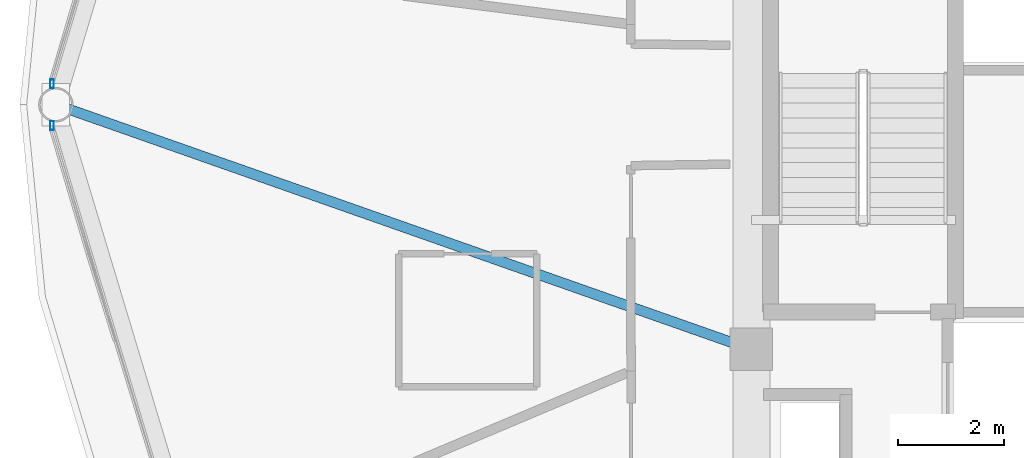
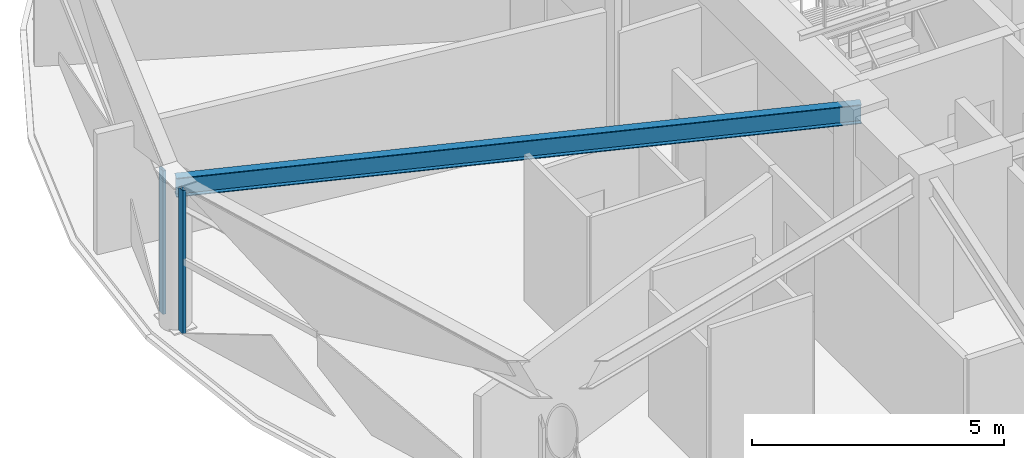
# One storey, part 7 of 30: 2 members, 1 beam, 2 elements without a shape of their own.
"""IFC4 building model written with IfcOpenShell, lengths in metres."""

from ifc_helpers import new_model, si_unit, direction, frame, origin, origin_2d, place, context, subcontext, project, spatial, hollow_rectangle, i_section, extrude, material, layer, layer_set, material_profile, profile_set, type_object, element, aggregate, save


model = new_model("IFC4")

# Units and contexts
model_context = context("Model", 3, precision=1e-05, world=origin(), true_north=direction((0.0, 1.0)))
body_context = subcontext(model_context, "Body", "Model", "MODEL_VIEW")
ifc_project = project(units=[si_unit("LENGTHUNIT", "METRE"), si_unit("AREAUNIT", "SQUARE_METRE"), si_unit("VOLUMEUNIT", "CUBIC_METRE"), si_unit("PLANEANGLEUNIT", "RADIAN"), si_unit("MASSUNIT", "GRAM", prefix="KILO")], contexts=[model_context])

# Site, building, storey
site_placement = place(None, origin())
site = spatial("IfcSite", under=ifc_project, at=site_placement, CompositionType="ELEMENT")
building_placement = place(site_placement, origin())
building = spatial("IfcBuilding", under=site, at=building_placement, Name="Vantalir Tower", CompositionType="ELEMENT")
storey_placement = place(building_placement, frame((0.0, 0.0, 193.64990234375)))
storey = spatial("IfcBuildingStorey", under=building, at=storey_placement, Name="L48", CompositionType="ELEMENT", Elevation=193.64990234375)

# Beam
ifc_material_1 = material(Name="Steel S355", Category="steel")
ifc_material_profile_1 = material_profile(ifc_material_1, i_section(OverallWidth=0.19189453125, OverallDepth=0.462890625, WebThickness=0.010498046875, FlangeThickness=0.017578125, at=origin_2d()), Name="Steel S355")
ifc_profile_set_1 = profile_set([ifc_material_profile_1], Name="Steel S355")
beam_type = type_object("IfcBeamType", Name="BM-RB-457x191", PredefinedType="BEAM", material=ifc_profile_set_1)
beam_placement = place(storey_placement, frame((8.823974609375, 25.0, 3.338134765625), z_axis=(0.943328014031, -0.331861805492, 0.0), x_axis=(0.331861805492, 0.943328014031, 0.0)))
element("IfcBeam", 1, at=beam_placement, inside=storey, type_object=beam_type, Name="L48 Radial Floor Beam 07", PredefinedType="BEAM", context=body_context, shape_type="SweptSolid", body=[
    extrude(i_section(OverallWidth=0.19189453125, OverallDepth=0.462890625, WebThickness=0.010498046875, FlangeThickness=0.017578125, at=origin_2d()), origin(), (0.0, 0.0, 1.0), 13.861572265625),
])

# Curtain wall, member
ifc_material_2 = material(Name="Champagne-silver PVDF aluminium and double-silver Low-E glass", Category="aluminium")
ifc_layer = layer(ifc_material_2, 0.2099609375)
ifc_layer_set = layer_set([ifc_layer], Name="Champagne-silver PVDF aluminium and double-silver Low-E glass")
curtain_wall_type = type_object("IfcCurtainWallType", Name="CW-DIAMOND-Z3", PredefinedType="USERDEFINED", material=ifc_layer_set)
curtain_wall_1_placement = place(storey_placement, origin())
curtain_wall_1 = element("IfcCurtainWall", 2, at=curtain_wall_1_placement, inside=storey, type_object=curtain_wall_type, Name="L48 Quilted Pyramid-Diamond Curtain Wall S06", ObjectType="UNITISED CURTAIN WALL", PredefinedType="USERDEFINED")
ifc_material_3 = material(Name="Champagne-silver PVDF aluminium 6063-T6", Category="aluminium")
ifc_material_profile_2 = material_profile(ifc_material_3, hollow_rectangle(XDim=0.070068359375, YDim=0.1650390625, WallThickness=0.00390625, at=origin_2d()), Name="Champagne-silver PVDF aluminium 6063-T6")
ifc_profile_set_2 = profile_set([ifc_material_profile_2], Name="Champagne-silver PVDF aluminium 6063-T6")
member_type = type_object("IfcMemberType", Name="CWM-165x70", PredefinedType="MULLION", material=ifc_profile_set_2)
member_1_placement = place(storey_placement, frame((8.751953125, 25.39306640625, 0.045166015625), z_axis=(0.0, 0.0, 1.0), x_axis=(1.0, 0.0, 0.0)))
member_1 = element("IfcMember", 3, at=member_1_placement, type_object=member_type, Name="CW-L48-S06 Mullion 2", PredefinedType="MULLION", context=body_context, shape_type="SweptSolid", body=[
    extrude(hollow_rectangle(XDim=0.070068359375, YDim=0.1650390625, WallThickness=0.00390625, at=origin_2d()), origin(), (0.0, 0.0, 1.0), 3.47998046875),
])
aggregate(curtain_wall_1, [member_1])

curtain_wall_2_placement = place(storey_placement, origin())
curtain_wall_2 = element("IfcCurtainWall", 4, at=curtain_wall_2_placement, inside=storey, type_object=curtain_wall_type, Name="L48 Quilted Pyramid-Diamond Curtain Wall S07", ObjectType="UNITISED CURTAIN WALL", PredefinedType="USERDEFINED")
member_2_placement = place(storey_placement, frame((8.751953125, 24.60693359375, 0.045166015625), z_axis=(0.0, 0.0, 1.0), x_axis=(1.0, 0.0, 0.0)))
member_2 = element("IfcMember", 5, at=member_2_placement, type_object=member_type, Name="CW-L48-S07 Mullion 1", PredefinedType="MULLION", context=body_context, shape_type="SweptSolid", body=[
    extrude(hollow_rectangle(XDim=0.070068359375, YDim=0.1650390625, WallThickness=0.00390625, at=origin_2d()), origin(), (0.0, 0.0, 1.0), 3.47998046875),
])
aggregate(curtain_wall_2, [member_2])

save(model, "model.ifc")
